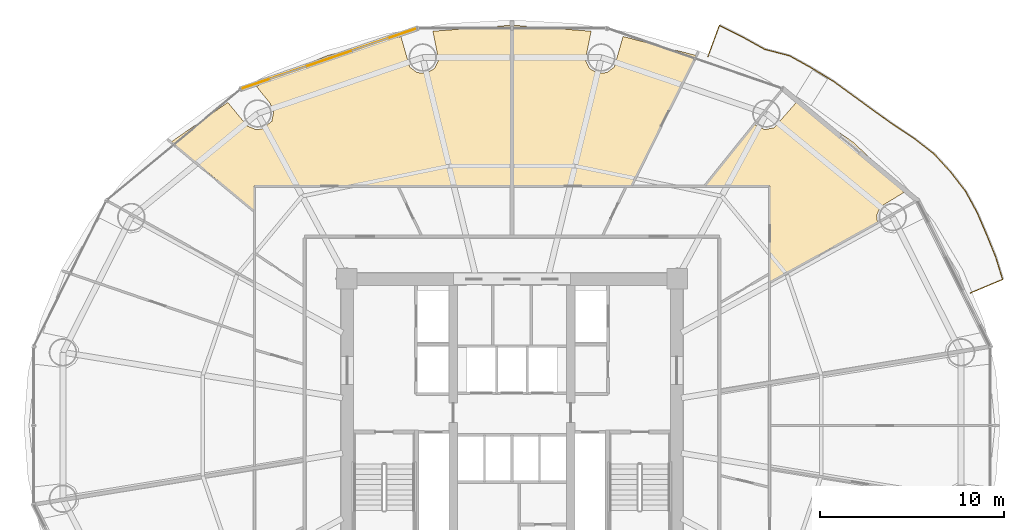
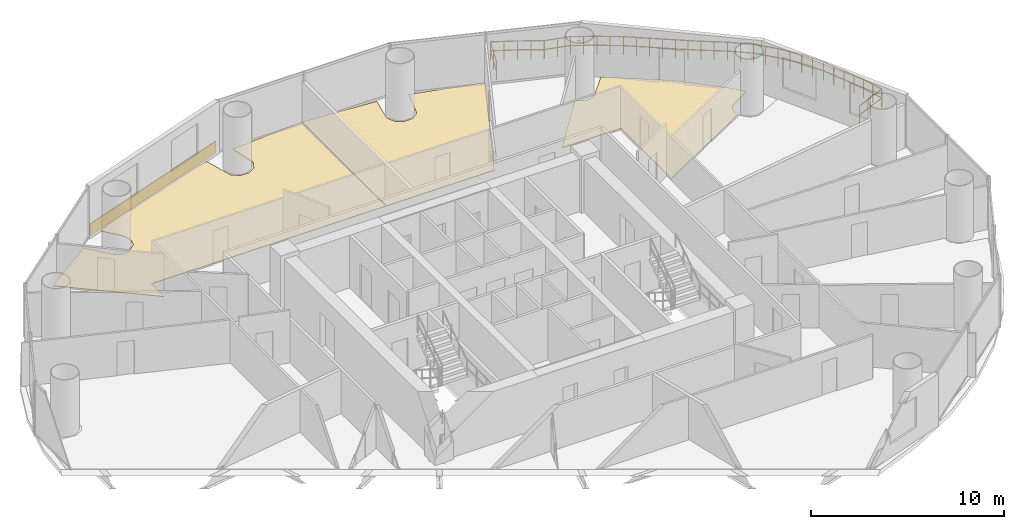
# One storey, part 29 of 29: 4 coverings, 1 railing.
"""IFC4 building model written with IfcOpenShell, lengths in metres."""

from ifc_helpers import new_model, si_unit, direction, frame, origin, origin_2d, place, context, subcontext, project, spatial, polyline, rectangle, outline, extrude, source, transform, mapped, material, layer, layer_set, type_object, element, save


model = new_model("IFC4")

# Units and contexts
model_context = context("Model", 3, precision=1e-05, world=origin(), true_north=direction((-0.2419218956, 0.970295726276)))
body_context = subcontext(model_context, "Body", "Model", "MODEL_VIEW")
ifc_project = project(units=[si_unit("LENGTHUNIT", "METRE"), si_unit("AREAUNIT", "SQUARE_METRE"), si_unit("VOLUMEUNIT", "CUBIC_METRE"), si_unit("PLANEANGLEUNIT", "RADIAN"), si_unit("MASSUNIT", "GRAM", prefix="KILO")], contexts=[model_context])

# Site, building, storey
site_placement = place(None, origin())
site = spatial("IfcSite", under=ifc_project, at=site_placement, CompositionType="ELEMENT")
building_placement = place(site_placement, origin())
building = spatial("IfcBuilding", under=site, at=building_placement, Name="Cobrevalo Terracotta Tower", CompositionType="ELEMENT")
storey_placement = place(building_placement, frame((0.0, 0.0, 79.800048828125)))
storey = spatial("IfcBuildingStorey", under=building, at=storey_placement, Name="L20", CompositionType="ELEMENT", Elevation=79.800048828125)

# Railing
ifc_material_1 = material(Name="Laminated structural glass and stainless steel", Category="steel")
railing_type = type_object("IfcRailingType", Name="Balcony lobe structural glass & terracotta-cap balustrade 1180 mm", PredefinedType="BALUSTRADE", material=ifc_material_1)
railing_placement = place(storey_placement, frame((62.981201171875, 34.02685546875, 0.0)))
element("IfcRailing", 1, at=railing_placement, inside=storey, type_object=railing_type, Name="L20 spiralling balcony lobe balustrade 1", PredefinedType="BALUSTRADE", context=body_context, shape_type="SweptSolid", body=[
    extrude(rectangle(XDim=0.048095703125, YDim=0.048095703125, at=origin_2d()), frame((0.0, 0.0, 1.15576171875), z_axis=(0.922429278465, 0.386166060433, 0.0), x_axis=(-0.386166060433, 0.922429278465, 0.0)), (0.0, 0.0, 1.0), 1.89990234375),
    extrude(rectangle(XDim=0.048095703125, YDim=0.048095703125, at=origin_2d()), frame((0.0, 0.0, 0.58984375), z_axis=(0.922429278465, 0.386166060433, 0.0), x_axis=(-0.386166060433, 0.922429278465, 0.0)), (0.0, 0.0, 1.0), 1.89990234375),
    extrude(rectangle(XDim=0.048095703125, YDim=0.048095703125, at=origin_2d()), frame((1.75244140625, 0.733642578125, 1.15576171875), z_axis=(-0.293387817987, 0.95599350848, 0.0), x_axis=(-0.95599350848, -0.293387817987, 0.0)), (0.0, 0.0, 1.0), 1.278076171875),
    extrude(rectangle(XDim=0.048095703125, YDim=0.048095703125, at=origin_2d()), frame((1.75244140625, 0.733642578125, 0.58984375), z_axis=(-0.293387817987, 0.95599350848, 0.0), x_axis=(-0.95599350848, -0.293387817987, 0.0)), (0.0, 0.0, 1.0), 1.278076171875),
    extrude(rectangle(XDim=0.048095703125, YDim=0.048095703125, at=origin_2d()), frame((1.37744140625, 1.95556640625, 1.15576171875), z_axis=(-0.376180473427, 0.926546410825, 0.0), x_axis=(-0.926546410825, -0.376180473427, 0.0)), (0.0, 0.0, 1.0), 1.29931640625),
    extrude(rectangle(XDim=0.048095703125, YDim=0.048095703125, at=origin_2d()), frame((1.37744140625, 1.95556640625, 0.58984375), z_axis=(-0.376180473427, 0.926546410825, 0.0), x_axis=(-0.926546410825, -0.376180473427, 0.0)), (0.0, 0.0, 1.0), 1.29931640625),
    extrude(rectangle(XDim=0.048095703125, YDim=0.048095703125, at=origin_2d()), frame((0.888671875, 3.159423828125, 1.15576171875), z_axis=(-0.395015235397, 0.918674569042, 0.0), x_axis=(-0.918674569042, -0.395015235397, 0.0)), (0.0, 0.0, 1.0), 1.317138671875),
    extrude(rectangle(XDim=0.048095703125, YDim=0.048095703125, at=origin_2d()), frame((0.888671875, 3.159423828125, 0.58984375), z_axis=(-0.395015235397, 0.918674569042, 0.0), x_axis=(-0.918674569042, -0.395015235397, 0.0)), (0.0, 0.0, 1.0), 1.317138671875),
    extrude(rectangle(XDim=0.048095703125, YDim=0.048095703125, at=origin_2d()), frame((0.368408203125, 4.369384765625, 1.15576171875), z_axis=(-0.477274991944, 0.878753994054, 0.0), x_axis=(-0.878753994054, -0.477274991944, 0.0)), (0.0, 0.0, 1.0), 1.32373046875),
    extrude(rectangle(XDim=0.048095703125, YDim=0.048095703125, at=origin_2d()), frame((0.368408203125, 4.369384765625, 0.58984375), z_axis=(-0.477274991944, 0.878753994054, 0.0), x_axis=(-0.878753994054, -0.477274991944, 0.0)), (0.0, 0.0, 1.0), 1.32373046875),
    extrude(rectangle(XDim=0.048095703125, YDim=0.048095703125, at=origin_2d()), frame((-0.263427734375, 5.53271484375, 1.15576171875), z_axis=(-0.61169135466, 0.791096509052, 0.0), x_axis=(-0.791096509052, -0.61169135466, 0.0)), (0.0, 0.0, 1.0), 1.339111328125),
    extrude(rectangle(XDim=0.048095703125, YDim=0.048095703125, at=origin_2d()), frame((-0.263427734375, 5.53271484375, 0.58984375), z_axis=(-0.61169135466, 0.791096509052, 0.0), x_axis=(-0.791096509052, -0.61169135466, 0.0)), (0.0, 0.0, 1.0), 1.339111328125),
    extrude(rectangle(XDim=0.048095703125, YDim=0.048095703125, at=origin_2d()), frame((-1.08251953125, 6.592041015625, 1.15576171875), z_axis=(-0.675261068695, 0.737578801963, 0.0), x_axis=(-0.737578801963, -0.675261068695, 0.0)), (0.0, 0.0, 1.0), 1.3359375),
    extrude(rectangle(XDim=0.048095703125, YDim=0.048095703125, at=origin_2d()), frame((-1.08251953125, 6.592041015625, 0.58984375), z_axis=(-0.675261068695, 0.737578801963, 0.0), x_axis=(-0.737578801963, -0.675261068695, 0.0)), (0.0, 0.0, 1.0), 1.3359375),
    extrude(rectangle(XDim=0.048095703125, YDim=0.048095703125, at=origin_2d()), frame((-1.984619140625, 7.577392578125, 1.15576171875), z_axis=(-0.788830761153, 0.614610470346, 0.0), x_axis=(-0.614610470346, -0.788830761153, 0.0)), (0.0, 0.0, 1.0), 1.362060546875),
    extrude(rectangle(XDim=0.048095703125, YDim=0.048095703125, at=origin_2d()), frame((-1.984619140625, 7.577392578125, 0.58984375), z_axis=(-0.788830761153, 0.614610470346, 0.0), x_axis=(-0.614610470346, -0.788830761153, 0.0)), (0.0, 0.0, 1.0), 1.362060546875),
    extrude(rectangle(XDim=0.048095703125, YDim=0.048095703125, at=origin_2d()), frame((-3.05908203125, 8.41455078125, 1.15576171875), z_axis=(-0.834247089996, 0.551390780512, 0.0), x_axis=(-0.551390780512, -0.834247089996, 0.0)), (0.0, 0.0, 1.0), 1.36376953125),
    extrude(rectangle(XDim=0.048095703125, YDim=0.048095703125, at=origin_2d()), frame((-3.05908203125, 8.41455078125, 0.58984375), z_axis=(-0.834247089996, 0.551390780512, 0.0), x_axis=(-0.551390780512, -0.834247089996, 0.0)), (0.0, 0.0, 1.0), 1.36376953125),
    extrude(rectangle(XDim=0.048095703125, YDim=0.048095703125, at=origin_2d()), frame((-4.19677734375, 9.16650390625, 1.15576171875), z_axis=(-0.813979477086, 0.580893631298, 0.0), x_axis=(-0.580893631298, -0.813979477086, 0.0)), (0.0, 0.0, 1.0), 1.3408203125),
    extrude(rectangle(XDim=0.048095703125, YDim=0.048095703125, at=origin_2d()), frame((-4.19677734375, 9.16650390625, 0.58984375), z_axis=(-0.813979477086, 0.580893631298, 0.0), x_axis=(-0.580893631298, -0.813979477086, 0.0)), (0.0, 0.0, 1.0), 1.3408203125),
    extrude(rectangle(XDim=0.048095703125, YDim=0.048095703125, at=origin_2d()), frame((-5.2880859375, 9.9453125, 1.15576171875), z_axis=(-0.807457104256, 0.589926287587, 0.0), x_axis=(-0.589926287587, -0.807457104256, 0.0)), (0.0, 0.0, 1.0), 1.355712890625),
    extrude(rectangle(XDim=0.048095703125, YDim=0.048095703125, at=origin_2d()), frame((-5.2880859375, 9.9453125, 0.58984375), z_axis=(-0.807457104256, 0.589926287587, 0.0), x_axis=(-0.589926287587, -0.807457104256, 0.0)), (0.0, 0.0, 1.0), 1.355712890625),
    extrude(rectangle(XDim=0.048095703125, YDim=0.048095703125, at=origin_2d()), frame((-6.3828125, 10.7451171875, 1.15576171875), z_axis=(-0.809250401384, 0.587463860897, 0.0), x_axis=(-0.587463860897, -0.809250401384, 0.0)), (0.0, 0.0, 1.0), 1.35400390625),
    extrude(rectangle(XDim=0.048095703125, YDim=0.048095703125, at=origin_2d()), frame((-6.3828125, 10.7451171875, 0.58984375), z_axis=(-0.809250401384, 0.587463860897, 0.0), x_axis=(-0.587463860897, -0.809250401384, 0.0)), (0.0, 0.0, 1.0), 1.35400390625),
    extrude(rectangle(XDim=0.048095703125, YDim=0.048095703125, at=origin_2d()), frame((-7.478515625, 11.54052734375, 1.15576171875), z_axis=(-0.853788441284, 0.52062010865, 0.0), x_axis=(-0.52062010865, -0.853788441284, 0.0)), (0.0, 0.0, 1.0), 1.368896484375),
    extrude(rectangle(XDim=0.048095703125, YDim=0.048095703125, at=origin_2d()), frame((-7.478515625, 11.54052734375, 0.58984375), z_axis=(-0.853788441284, 0.52062010865, 0.0), x_axis=(-0.52062010865, -0.853788441284, 0.0)), (0.0, 0.0, 1.0), 1.368896484375),
    extrude(rectangle(XDim=0.048095703125, YDim=0.048095703125, at=origin_2d()), frame((-8.647216796875, 12.253173828125, 1.15576171875), z_axis=(-0.87437430677, 0.485252070228, 0.0), x_axis=(-0.485252070228, -0.87437430677, 0.0)), (0.0, 0.0, 1.0), 1.379150390625),
    extrude(rectangle(XDim=0.048095703125, YDim=0.048095703125, at=origin_2d()), frame((-8.647216796875, 12.253173828125, 0.58984375), z_axis=(-0.87437430677, 0.485252070228, 0.0), x_axis=(-0.485252070228, -0.87437430677, 0.0)), (0.0, 0.0, 1.0), 1.379150390625),
    extrude(rectangle(XDim=0.048095703125, YDim=0.048095703125, at=origin_2d()), frame((-9.85302734375, 12.92236328125, 1.15576171875), z_axis=(-0.967474756937, 0.25296757636, 0.0), x_axis=(-0.25296757636, -0.967474756937, 0.0)), (0.0, 0.0, 1.0), 1.40234375),
    extrude(rectangle(XDim=0.048095703125, YDim=0.048095703125, at=origin_2d()), frame((-9.85302734375, 12.92236328125, 0.58984375), z_axis=(-0.967474756937, 0.25296757636, 0.0), x_axis=(-0.25296757636, -0.967474756937, 0.0)), (0.0, 0.0, 1.0), 1.40234375),
    extrude(rectangle(XDim=0.048095703125, YDim=0.048095703125, at=origin_2d()), frame((-11.209716796875, 13.277099609375, 1.15576171875), z_axis=(-0.874792497823, 0.484497766509, 0.0), x_axis=(-0.484497766509, -0.874792497823, 0.0)), (0.0, 0.0, 1.0), 1.394287109375),
    extrude(rectangle(XDim=0.048095703125, YDim=0.048095703125, at=origin_2d()), frame((-11.209716796875, 13.277099609375, 0.58984375), z_axis=(-0.874792497823, 0.484497766509, 0.0), x_axis=(-0.484497766509, -0.874792497823, 0.0)), (0.0, 0.0, 1.0), 1.394287109375),
    extrude(rectangle(XDim=0.048095703125, YDim=0.048095703125, at=origin_2d()), frame((-12.429443359375, 13.95263671875, 1.15576171875), z_axis=(-0.894113185743, 0.4478410556, 0.0), x_axis=(-0.4478410556, -0.894113185743, 0.0)), (0.0, 0.0, 1.0), 1.400390625),
    extrude(rectangle(XDim=0.048095703125, YDim=0.048095703125, at=origin_2d()), frame((-12.429443359375, 13.95263671875, 0.58984375), z_axis=(-0.894113185743, 0.4478410556, 0.0), x_axis=(-0.4478410556, -0.894113185743, 0.0)), (0.0, 0.0, 1.0), 1.400390625),
    extrude(rectangle(XDim=0.048095703125, YDim=0.048095703125, at=origin_2d()), frame((-13.681640625, 14.579833984375, 1.15576171875), z_axis=(-0.344354235273, -0.938839794986, 0.0), x_axis=(0.938839794986, -0.344354235273, 0.0)), (0.0, 0.0, 1.0), 1.80078125),
    extrude(rectangle(XDim=0.048095703125, YDim=0.048095703125, at=origin_2d()), frame((-13.681640625, 14.579833984375, 0.58984375), z_axis=(-0.344354235273, -0.938839794986, 0.0), x_axis=(0.938839794986, -0.344354235273, 0.0)), (0.0, 0.0, 1.0), 1.80078125),
    extrude(rectangle(XDim=0.0419921875, YDim=0.0419921875, at=origin_2d()), origin(), (0.0, 0.0, 1.0), 1.1318359375),
    extrude(rectangle(XDim=0.0419921875, YDim=0.0419921875, at=origin_2d()), frame((0.876220703125, 0.36669921875, 0.0)), (0.0, 0.0, 1.0), 1.1318359375),
    extrude(rectangle(XDim=0.0419921875, YDim=0.0419921875, at=origin_2d()), frame((1.75244140625, 0.733642578125, 0.0)), (0.0, 0.0, 1.0), 1.1318359375),
    extrude(rectangle(XDim=0.0419921875, YDim=0.0419921875, at=origin_2d()), frame((1.56494140625, 1.3447265625, 0.0)), (0.0, 0.0, 1.0), 1.1318359375),
    extrude(rectangle(XDim=0.0419921875, YDim=0.0419921875, at=origin_2d()), frame((1.37744140625, 1.95556640625, 0.0)), (0.0, 0.0, 1.0), 1.1318359375),
    extrude(rectangle(XDim=0.0419921875, YDim=0.0419921875, at=origin_2d()), frame((1.133056640625, 2.5576171875, 0.0)), (0.0, 0.0, 1.0), 1.1318359375),
    extrude(rectangle(XDim=0.0419921875, YDim=0.0419921875, at=origin_2d()), frame((0.888671875, 3.159423828125, 0.0)), (0.0, 0.0, 1.0), 1.1318359375),
    extrude(rectangle(XDim=0.0419921875, YDim=0.0419921875, at=origin_2d()), frame((0.62841796875, 3.764404296875, 0.0)), (0.0, 0.0, 1.0), 1.1318359375),
    extrude(rectangle(XDim=0.0419921875, YDim=0.0419921875, at=origin_2d()), frame((0.368408203125, 4.369384765625, 0.0)), (0.0, 0.0, 1.0), 1.1318359375),
    extrude(rectangle(XDim=0.0419921875, YDim=0.0419921875, at=origin_2d()), frame((0.052490234375, 4.951171875, 0.0)), (0.0, 0.0, 1.0), 1.1318359375),
    extrude(rectangle(XDim=0.0419921875, YDim=0.0419921875, at=origin_2d()), frame((-0.263427734375, 5.53271484375, 0.0)), (0.0, 0.0, 1.0), 1.1318359375),
    extrude(rectangle(XDim=0.0419921875, YDim=0.0419921875, at=origin_2d()), frame((-0.6728515625, 6.0625, 0.0)), (0.0, 0.0, 1.0), 1.1318359375),
    extrude(rectangle(XDim=0.0419921875, YDim=0.0419921875, at=origin_2d()), frame((-1.08251953125, 6.592041015625, 0.0)), (0.0, 0.0, 1.0), 1.1318359375),
    extrude(rectangle(XDim=0.0419921875, YDim=0.0419921875, at=origin_2d()), frame((-1.53369140625, 7.084716796875, 0.0)), (0.0, 0.0, 1.0), 1.1318359375),
    extrude(rectangle(XDim=0.0419921875, YDim=0.0419921875, at=origin_2d()), frame((-1.984619140625, 7.577392578125, 0.0)), (0.0, 0.0, 1.0), 1.1318359375),
    extrude(rectangle(XDim=0.0419921875, YDim=0.0419921875, at=origin_2d()), frame((-2.52197265625, 7.99609375, 0.0)), (0.0, 0.0, 1.0), 1.1318359375),
    extrude(rectangle(XDim=0.0419921875, YDim=0.0419921875, at=origin_2d()), frame((-3.05908203125, 8.41455078125, 0.0)), (0.0, 0.0, 1.0), 1.1318359375),
    extrude(rectangle(XDim=0.0419921875, YDim=0.0419921875, at=origin_2d()), frame((-3.6279296875, 8.79052734375, 0.0)), (0.0, 0.0, 1.0), 1.1318359375),
    extrude(rectangle(XDim=0.0419921875, YDim=0.0419921875, at=origin_2d()), frame((-4.19677734375, 9.16650390625, 0.0)), (0.0, 0.0, 1.0), 1.1318359375),
    extrude(rectangle(XDim=0.0419921875, YDim=0.0419921875, at=origin_2d()), frame((-4.742431640625, 9.555908203125, 0.0)), (0.0, 0.0, 1.0), 1.1318359375),
    extrude(rectangle(XDim=0.0419921875, YDim=0.0419921875, at=origin_2d()), frame((-5.2880859375, 9.9453125, 0.0)), (0.0, 0.0, 1.0), 1.1318359375),
    extrude(rectangle(XDim=0.0419921875, YDim=0.0419921875, at=origin_2d()), frame((-5.83544921875, 10.34521484375, 0.0)), (0.0, 0.0, 1.0), 1.1318359375),
    extrude(rectangle(XDim=0.0419921875, YDim=0.0419921875, at=origin_2d()), frame((-6.3828125, 10.7451171875, 0.0)), (0.0, 0.0, 1.0), 1.1318359375),
    extrude(rectangle(XDim=0.0419921875, YDim=0.0419921875, at=origin_2d()), frame((-6.9306640625, 11.142822265625, 0.0)), (0.0, 0.0, 1.0), 1.1318359375),
    extrude(rectangle(XDim=0.0419921875, YDim=0.0419921875, at=origin_2d()), frame((-7.478515625, 11.54052734375, 0.0)), (0.0, 0.0, 1.0), 1.1318359375),
    extrude(rectangle(XDim=0.0419921875, YDim=0.0419921875, at=origin_2d()), frame((-8.06298828125, 11.89697265625, 0.0)), (0.0, 0.0, 1.0), 1.1318359375),
    extrude(rectangle(XDim=0.0419921875, YDim=0.0419921875, at=origin_2d()), frame((-8.647216796875, 12.253173828125, 0.0)), (0.0, 0.0, 1.0), 1.1318359375),
    extrude(rectangle(XDim=0.0419921875, YDim=0.0419921875, at=origin_2d()), frame((-9.25, 12.587890625, 0.0)), (0.0, 0.0, 1.0), 1.1318359375),
    extrude(rectangle(XDim=0.0419921875, YDim=0.0419921875, at=origin_2d()), frame((-9.85302734375, 12.92236328125, 0.0)), (0.0, 0.0, 1.0), 1.1318359375),
    extrude(rectangle(XDim=0.0419921875, YDim=0.0419921875, at=origin_2d()), frame((-10.53125, 13.099609375, 0.0)), (0.0, 0.0, 1.0), 1.1318359375),
    extrude(rectangle(XDim=0.0419921875, YDim=0.0419921875, at=origin_2d()), frame((-11.209716796875, 13.277099609375, 0.0)), (0.0, 0.0, 1.0), 1.1318359375),
    extrude(rectangle(XDim=0.0419921875, YDim=0.0419921875, at=origin_2d()), frame((-11.819580078125, 13.61474609375, 0.0)), (0.0, 0.0, 1.0), 1.1318359375),
    extrude(rectangle(XDim=0.0419921875, YDim=0.0419921875, at=origin_2d()), frame((-12.429443359375, 13.95263671875, 0.0)), (0.0, 0.0, 1.0), 1.1318359375),
    extrude(rectangle(XDim=0.0419921875, YDim=0.0419921875, at=origin_2d()), frame((-13.0556640625, 14.26611328125, 0.0)), (0.0, 0.0, 1.0), 1.1318359375),
    extrude(rectangle(XDim=0.0419921875, YDim=0.0419921875, at=origin_2d()), frame((-13.681640625, 14.579833984375, 0.0)), (0.0, 0.0, 1.0), 1.1318359375),
    extrude(rectangle(XDim=0.0419921875, YDim=0.0419921875, at=origin_2d()), frame((-13.99169921875, 13.734375, 0.0)), (0.0, 0.0, 1.0), 1.1318359375),
    extrude(rectangle(XDim=0.0419921875, YDim=0.0419921875, at=origin_2d()), frame((-14.3017578125, 12.88916015625, 0.0)), (0.0, 0.0, 1.0), 1.1318359375),
])

# Coverings
ifc_material_2 = material(Name="Engineered Brazilian hardwood flooring", Category="wood")
ifc_layer_1 = layer(ifc_material_2, 0.028076171875)
ifc_layer_set_1 = layer_set([ifc_layer_1], Name="Engineered Brazilian hardwood flooring")
covering_type_1 = type_object("IfcCoveringType", Name="Engineered Hardwood Suite Flooring 28", PredefinedType="FLOORING", material=ifc_layer_set_1)
covering_1_placement = place(storey_placement, origin())
element("IfcCovering", 2, at=covering_1_placement, inside=storey, type_object=covering_type_1, Name="Flat L20A Master Bedroom floor finish", PredefinedType="FLOORING", context=body_context, shape_type="SweptSolid", body=[
    extrude(outline(polyline([(56.6123046875, 42.227783203125), (58.882080078125, 40.081787109375), (59.35302734375, 39.49755859375), (58.05908203125, 38.712890625), (57.868408203125, 38.23876953125), (57.916259765625, 37.879150390625), (52.054931640625, 34.62548828125), (52.054931640625, 39.85498046875), (48.52490234375, 39.85498046875), (51.219970703125, 43.2060546875), (51.778076171875, 42.927490234375), (52.27880859375, 43.02880859375), (53.488525390625, 44.40673828125), (56.6123046875, 42.227783203125)])), origin(), (0.0, 0.0, 1.0), 0.030029296875),
])
covering_2_placement = place(storey_placement, origin())
element("IfcCovering", 3, at=covering_2_placement, inside=storey, type_object=covering_type_1, Name="Flat L20A Penthouse Family Lounge floor finish", PredefinedType="FLOORING", context=body_context, shape_type="SweptSolid", body=[
    extrude(outline(polyline([(44.486328125, 39.85498046875), (38.02001953125, 39.85498046875), (38.02001953125, 48.618896484375), (42.3095703125, 48.2890625), (41.997802734375, 46.721435546875), (42.2197265625, 46.26123046875), (42.659912109375, 46.001708984375), (43.170166015625, 46.030517578125), (43.578125, 46.337890625), (44.05078125, 48.001953125), (48.033447265625, 46.9697265625), (44.486328125, 39.85498046875)])), origin(), (0.0, 0.0, 1.0), 0.030029296875),
])
covering_3_placement = place(storey_placement, origin())
element("IfcCovering", 4, at=covering_3_placement, inside=storey, type_object=covering_type_1, Name="Flat L20B Penthouse Living and Dining Room floor finish", PredefinedType="FLOORING", context=body_context, shape_type="SweptSolid", body=[
    extrude(outline(polyline([(22.511474609375, 44.40673828125), (23.577880859375, 43.125), (24.04931640625, 42.927978515625), (24.391357421875, 42.96044921875), (24.913330078125, 43.38623046875), (25.0146484375, 43.886962890625), (24.8212890625, 44.35888671875), (24.07568359375, 45.273193359375), (24.838623046875, 45.696044921875), (27.926513671875, 46.95849609375), (31.94921875, 48.001953125), (32.421875, 46.337890625), (32.829833984375, 46.030517578125), (33.340087890625, 46.001708984375), (33.7802734375, 46.26123046875), (34.002197265625, 46.721435546875), (33.6904296875, 48.2890625), (37.97998046875, 48.618896484375), (37.97998046875, 39.85498046875), (23.945068359375, 39.85498046875), (23.945068359375, 38.503173828125), (19.42724609375, 42.256591796875), (22.511474609375, 44.40673828125)])), origin(), (0.0, 0.0, 1.0), 0.030029296875),
])
ifc_material_3 = material(Name="Glazed terracotta facade cladding tile", Category="masonry")
ifc_layer_2 = layer(ifc_material_3, 0.044921875)
ifc_layer_set_2 = layer_set([ifc_layer_2], Name="Glazed terracotta facade cladding tile")
covering_type_2 = type_object("IfcCoveringType", Name="Architectural terracotta rainscreen spandrel cladding 45 mm", PredefinedType="CLADDING", material=ifc_layer_set_2)
shared_shape = source(origin(), body_context, "Body", "SweptSolid", [
    extrude(rectangle(XDim=9.928955078125, YDim=0.044921875, at=origin_2d()), origin(), (0.0, 0.0, 1.0), 0.760009765625),
])
covering_4_placement = place(storey_placement, frame((28.027587890625, 46.79833984375, 0.0400390625), z_axis=(0.0, 0.0, 1.0), x_axis=(-0.945596395206, -0.325342062104, 0.0)))
element("IfcCovering", 5, at=covering_4_placement, inside=storey, type_object=covering_type_2, Name="L20 terracotta spandrel cladding S05", PredefinedType="CLADDING", context=body_context, shape_type="MappedRepresentation", body=[
    mapped(shared_shape, transform((0.0, 0.0, 0.0), scale=1.0)),
])

save(model, "model.ifc")
